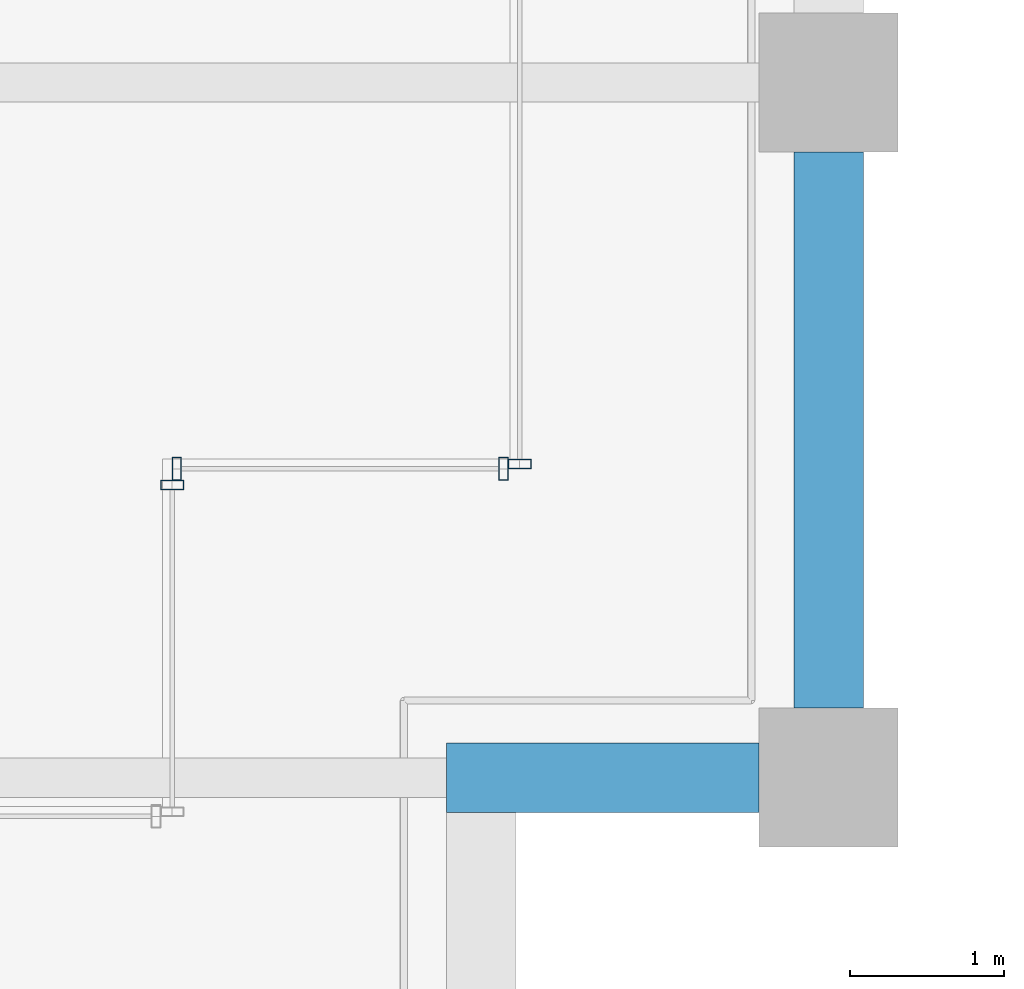
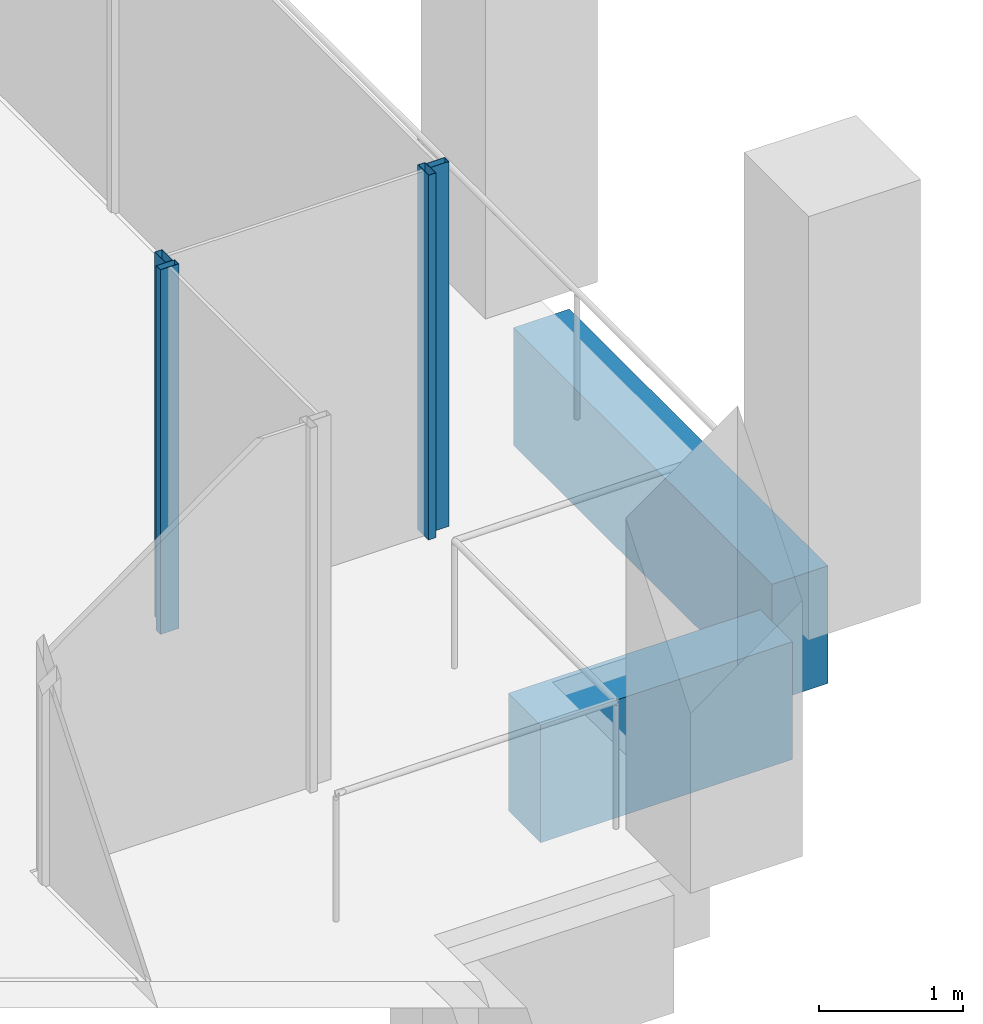
# One storey, part 13 of 40: 4 members, 2 beams, 3 elements without a shape of their own.
"""IFC4 building model written with IfcOpenShell, lengths in metres."""

from ifc_helpers import new_model, si_unit, direction, frame, origin, origin_2d, place, context, subcontext, project, spatial, rectangle, hollow_rectangle, extrude, material, material_profile, profile_set, type_object, element, aggregate, save


model = new_model("IFC4")

# Units and contexts
model_context = context("Model", 3, precision=1e-05, world=origin(), true_north=direction((0.0, 1.0)))
body_context = subcontext(model_context, "Body", "Model", "MODEL_VIEW")
ifc_project = project(units=[si_unit("LENGTHUNIT", "METRE"), si_unit("AREAUNIT", "SQUARE_METRE"), si_unit("VOLUMEUNIT", "CUBIC_METRE"), si_unit("PLANEANGLEUNIT", "RADIAN"), si_unit("MASSUNIT", "GRAM", prefix="KILO")], contexts=[model_context])

# Site, building, storey
site_placement = place(None, origin())
site = spatial("IfcSite", under=ifc_project, at=site_placement, CompositionType="ELEMENT")
building_placement = place(site_placement, origin())
building = spatial("IfcBuilding", under=site, at=building_placement, Name="Altepetl Exchange Towers", CompositionType="ELEMENT")
storey_placement = place(building_placement, frame((0.0, 0.0, 154.60009765625)))
storey = spatial("IfcBuildingStorey", under=building, at=storey_placement, Name="L38", CompositionType="ELEMENT", Elevation=154.60009765625)

# Curtain wall, member
ifc_material_1 = material(Name="Aluminium 6063-T6 glazing", Category="aluminium")
curtain_wall_type = type_object("IfcCurtainWallType", Name="Loggia glazing system", PredefinedType="NOTDEFINED", material=ifc_material_1)
curtain_wall_1_placement = place(storey_placement, origin())
curtain_wall_1 = element("IfcCurtainWall", 1, at=curtain_wall_1_placement, inside=storey, type_object=curtain_wall_type, Name="CW1 run", PredefinedType="NOTDEFINED")
ifc_material_2 = material(Name="Aluminium 6063-T6", Category="aluminium")
ifc_material_profile_1 = material_profile(ifc_material_2, hollow_rectangle(XDim=0.06005859375, YDim=0.14990234375, WallThickness=0.0029296875, at=origin_2d()), Name="Mullion 60x150 aluminium")
ifc_profile_set_1 = profile_set([ifc_material_profile_1], Name="Aluminium 6063-T6")
member_type = type_object("IfcMemberType", Name="Mullion 60x150 aluminium", PredefinedType="MULLION", material=ifc_profile_set_1)
member_1_placement = place(storey_placement, frame((67.75, 33.39501953125, 0.0), z_axis=(0.0, 0.0, 1.0), x_axis=(0.0, 1.0, 0.0)))
member_1 = element("IfcMember", 2, at=member_1_placement, type_object=member_type, Name="MU1 mullion", PredefinedType="MULLION", context=body_context, shape_type="SweptSolid", body=[
    extrude(hollow_rectangle(XDim=0.06005859375, YDim=0.14990234375, WallThickness=0.0029296875, at=origin_2d()), origin(), (0.0, 0.0, 1.0), 3.099853515625),
])
aggregate(curtain_wall_1, [member_1])

# Curtain wall, members
curtain_wall_2_placement = place(storey_placement, origin())
curtain_wall_2 = element("IfcCurtainWall", 3, at=curtain_wall_2_placement, inside=storey, type_object=curtain_wall_type, Name="CW1 run", PredefinedType="NOTDEFINED")
member_2_placement = place(storey_placement, frame((67.780029296875, 33.5, 0.0)))
member_2 = element("IfcMember", 4, at=member_2_placement, type_object=member_type, Name="MU1 mullion", PredefinedType="MULLION", context=body_context, shape_type="SweptSolid", body=[
    extrude(hollow_rectangle(XDim=0.06005859375, YDim=0.14990234375, WallThickness=0.0029296875, at=origin_2d()), origin(), (0.0, 0.0, 1.0), 3.099853515625),
])
member_3_placement = place(storey_placement, frame((69.89501953125, 33.5, 0.0)))
member_3 = element("IfcMember", 5, at=member_3_placement, type_object=member_type, Name="MU1 mullion", PredefinedType="MULLION", context=body_context, shape_type="SweptSolid", body=[
    extrude(hollow_rectangle(XDim=0.06005859375, YDim=0.14990234375, WallThickness=0.0029296875, at=origin_2d()), origin(), (0.0, 0.0, 1.0), 3.099853515625),
])
aggregate(curtain_wall_2, [member_2, member_3])

# Curtain wall, member
curtain_wall_3_placement = place(storey_placement, origin())
curtain_wall_3 = element("IfcCurtainWall", 6, at=curtain_wall_3_placement, inside=storey, type_object=curtain_wall_type, Name="CW1 run", PredefinedType="NOTDEFINED")
member_4_placement = place(storey_placement, frame((70.0, 33.530029296875, 0.0), z_axis=(0.0, 0.0, 1.0), x_axis=(0.0, 1.0, 0.0)))
member_4 = element("IfcMember", 7, at=member_4_placement, type_object=member_type, Name="MU1 mullion", PredefinedType="MULLION", context=body_context, shape_type="SweptSolid", body=[
    extrude(hollow_rectangle(XDim=0.06005859375, YDim=0.14990234375, WallThickness=0.0029296875, at=origin_2d()), origin(), (0.0, 0.0, 1.0), 3.099853515625),
])
aggregate(curtain_wall_3, [member_4])

# Beams
ifc_material_3 = material(Name="Concrete C50/60 precast with cantera amarilla facing", Category="concrete")
ifc_material_profile_2 = material_profile(ifc_material_3, rectangle(XDim=0.449951171875, YDim=1.0, at=origin_2d()), Name="450 x 1000")
ifc_profile_set_2 = profile_set([ifc_material_profile_2], Name="Concrete C50/60 precast with cantera amarilla facing")
beam_type = type_object("IfcBeamType", Name="Spandrel beam 450x1000 cantera amarilla", PredefinedType="SPANDREL", material=ifc_profile_set_2)
beam_1_placement = place(storey_placement, frame((69.52490234375, 31.5, -0.650146484375), z_axis=(1.0, 0.0, 0.0), x_axis=(0.0, 1.0, 0.0)))
element("IfcBeam", 8, at=beam_1_placement, inside=storey, type_object=beam_type, Name="sp:A:L38:011", PredefinedType="SPANDREL", context=body_context, shape_type="SweptSolid", body=[
    extrude(rectangle(XDim=0.449951171875, YDim=1.0, at=origin_2d()), origin(), (0.0, 0.0, 1.0), 2.025146484375),
])
beam_2_placement = place(storey_placement, frame((72.0, 31.949951171875, -0.650146484375), z_axis=(0.0, 1.0, 0.0), x_axis=(-1.0, 0.0, 0.0)))
element("IfcBeam", 9, at=beam_2_placement, inside=storey, type_object=beam_type, Name="sp:A:L38:012", PredefinedType="SPANDREL", context=body_context, shape_type="SweptSolid", body=[
    extrude(rectangle(XDim=0.449951171875, YDim=1.0, at=origin_2d()), origin(), (0.0, 0.0, 1.0), 3.60009765625),
])

save(model, "model.ifc")
